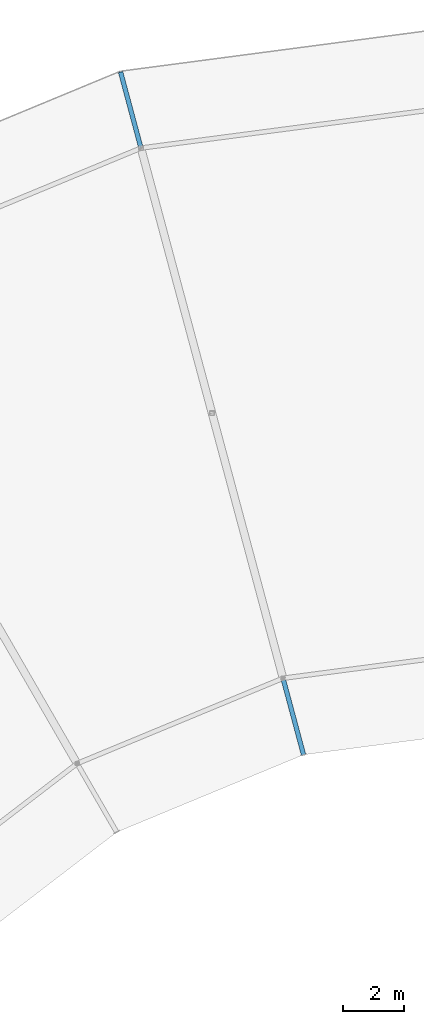
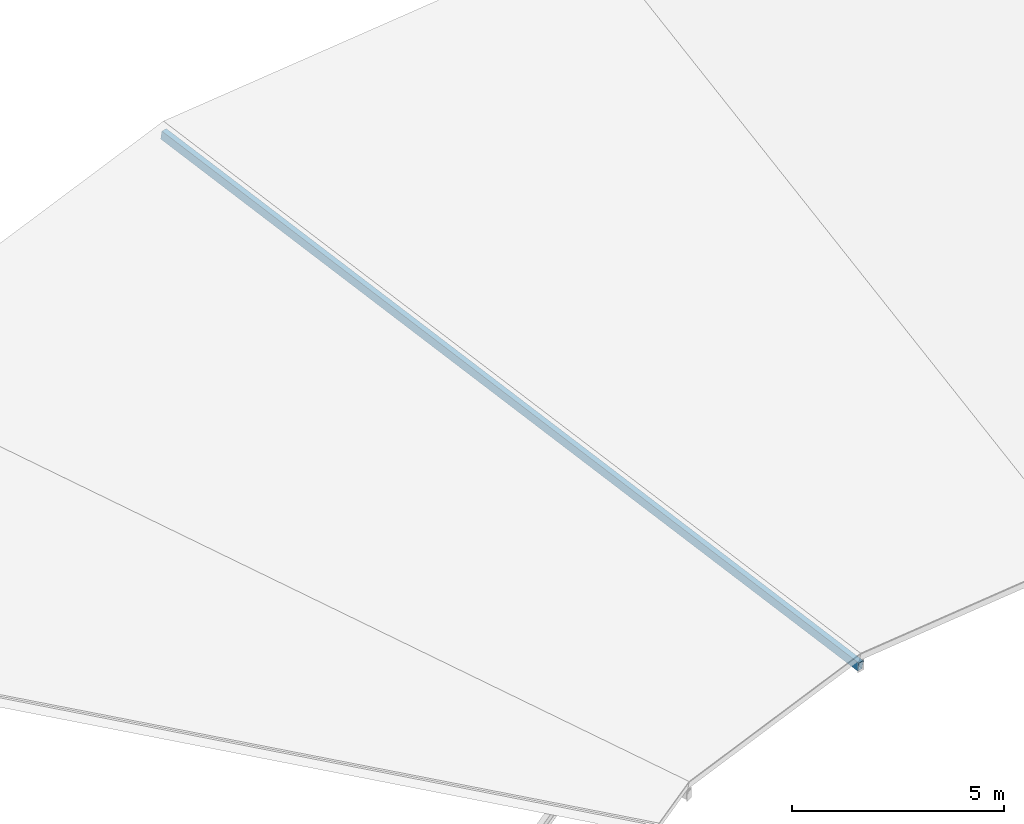
# One storey, part 18 of 70: 1 member.
"""IFC4 building model written with IfcOpenShell, lengths in metres."""

import ifcopenshell
import ifcopenshell.guid

model = None  # the IFC model being written
_history = None  # IfcOwnerHistory: only IFC2X3 demands one
_inside = {}  # id of a spatial element -> (the spatial element, [elements in it])
_under = {}  # id of a project, library or spatial element -> (it, [spatial elements below it])
_declared = {}  # id of a project -> (the project, [libraries it declares])
_typed = {}  # id of a type object -> (the type object, [elements of that type])
_made_of = {}  # id of a material, layer set ... -> (it, [elements and type objects made of it])


def new_model(schema):
    """Start an empty IFC model of exactly this schema.

    Asked for "IFC4X3", IfcOpenShell would pick the latest addendum, in which some entities
    have other attributes; the version numbers below select the first issue.
    IFC2X3 requires an IfcOwnerHistory on every rooted entity: one is made here for all.
    """
    global model, _history
    if schema == "IFC4X3":
        model = ifcopenshell.file(schema_version=(4, 3, 0, 0))
    else:
        model = ifcopenshell.file(schema=schema)
    _inside.clear()
    _under.clear()
    _declared.clear()
    _typed.clear()
    _made_of.clear()
    _history = None
    if model.schema == "IFC2X3":
        org = make("IfcOrganization", Name="unknown")
        user = make(
            "IfcPersonAndOrganization",
            ThePerson=make("IfcPerson", FamilyName="unknown"),
            TheOrganization=org,
        )
        app = make(
            "IfcApplication",
            ApplicationDeveloper=org,
            Version="unknown",
            ApplicationFullName="unknown",
            ApplicationIdentifier="unknown",
        )
        _history = make(
            "IfcOwnerHistory",
            OwningUser=user,
            OwningApplication=app,
            ChangeAction="ADDED",
            CreationDate=0,
        )
    return model


def make(cls, **values):
    """One entity of the class cls with the attributes given. An attribute that is None is left unset."""
    return model.create_entity(
        cls, **{name: value for name, value in values.items() if value is not None}
    )


def rooted(cls, **values):
    """An entity with a GlobalId (a new one), such as an element, a storey or a relation."""
    return make(cls, GlobalId=ifcopenshell.guid.new(), OwnerHistory=_history, **values)


def si_unit(unit_type, name, prefix=None):
    """IfcSIUnit, for example si_unit("LENGTHUNIT", "METRE", prefix="MILLI")."""
    return make("IfcSIUnit", UnitType=unit_type, Prefix=prefix, Name=name)


def assignment(units):
    """IfcUnitAssignment: the units of a project."""
    return None if units is None else make("IfcUnitAssignment", Units=units)


def point(xyz):
    """IfcCartesianPoint."""
    return None if xyz is None else make("IfcCartesianPoint", Coordinates=xyz)


def direction(xyz):
    """IfcDirection."""
    return None if xyz is None else make("IfcDirection", DirectionRatios=xyz)


def frame(location, z_axis=None, x_axis=None):
    """IfcAxis2Placement3D, a coordinate frame: its origin and axes. An axis left out is left unset."""
    return make(
        "IfcAxis2Placement3D",
        Location=point(location),
        Axis=direction(z_axis),
        RefDirection=direction(x_axis),
    )


def frame_2d(location, x_axis=None):
    """IfcAxis2Placement2D, a coordinate frame in the plane: its origin and x axis."""
    return make(
        "IfcAxis2Placement2D", Location=point(location), RefDirection=direction(x_axis)
    )


def origin():
    """The frame at (0, 0, 0) with its axes left unset."""
    return frame((0.0, 0.0, 0.0))


def origin_2d():
    """The frame at (0, 0) in the plane with its x axis left unset."""
    return frame_2d((0.0, 0.0))


def place(relative_to, where):
    """IfcLocalPlacement: puts the frame where relative to a parent placement (None: the world)."""
    return make(
        "IfcLocalPlacement", PlacementRelTo=relative_to, RelativePlacement=where
    )


def context(
    kind, dimensions, precision=None, world=None, true_north=None, identifier=None
):
    """IfcGeometricRepresentationContext, for example the 3D "Model" context."""
    return make(
        "IfcGeometricRepresentationContext",
        ContextIdentifier=identifier,
        ContextType=kind,
        CoordinateSpaceDimension=dimensions,
        Precision=precision,
        WorldCoordinateSystem=world,
        TrueNorth=true_north,
    )


def subcontext(parent, identifier, kind, view, scale=None):
    """IfcGeometricRepresentationSubContext, for example "Body" below "Model"."""
    return make(
        "IfcGeometricRepresentationSubContext",
        ContextIdentifier=identifier,
        ContextType=kind,
        ParentContext=parent,
        TargetScale=scale,
        TargetView=view,
    )


def project(units=None, contexts=None):
    """IfcProject with its units and contexts."""
    return rooted(
        "IfcProject",
        Name="project",
        RepresentationContexts=contexts,
        UnitsInContext=assignment(units),
    )


def spatial(cls, under=None, at=None, **own):
    """A site, building, storey or space (cls), placed at a placement, below another one or the project."""
    s = rooted(cls, ObjectPlacement=at, **own)
    if under is not None:
        _under.setdefault(under.id(), (under, []))[1].append(s)
    return s


def profile(cls, at=None, kind="AREA", **sizes):
    """A parametric profile (cls). Its sizes go by their IFC names, for example OverallWidth=200.0."""
    return make(cls, ProfileType=kind, Position=at, **sizes)


def hollow_rectangle(**sizes):
    """IfcRectangleHollowProfileDef."""
    return profile("IfcRectangleHollowProfileDef", **sizes)


def extrude(swept, where, along, depth):
    """IfcExtrudedAreaSolid: the profile swept, set in the frame where, extruded along a direction by depth."""
    return make(
        "IfcExtrudedAreaSolid",
        SweptArea=swept,
        Position=where,
        ExtrudedDirection=direction(along),
        Depth=depth,
    )


def shape(context_of_items, identifier, shape_type, items):
    """IfcShapeRepresentation: the items that make up one representation, for example the "Body"."""
    return make(
        "IfcShapeRepresentation",
        ContextOfItems=context_of_items,
        RepresentationIdentifier=identifier,
        RepresentationType=shape_type,
        Items=items,
    )


def material(Name=None, Category=None):
    """IfcMaterial."""
    return make("IfcMaterial", Name=Name, Category=Category)


def material_profile(
    of_material, cross_section, Name=None, Category=None, Priority=None
):
    """IfcMaterialProfile: a cross section and its material."""
    return make(
        "IfcMaterialProfile",
        Name=Name,
        Material=of_material,
        Profile=cross_section,
        Priority=Priority,
        Category=Category,
    )


def profile_set(profiles, Name=None, composite=None):
    """IfcMaterialProfileSet."""
    return make(
        "IfcMaterialProfileSet",
        Name=Name,
        MaterialProfiles=profiles,
        CompositeProfile=composite,
    )


def made_of(thing, what):
    """Note that an element or type object is made of a material, layer set ...; save() writes the relation."""
    if what is not None:
        _made_of.setdefault(what.id(), (what, []))[1].append(thing)
    return thing


def type_object(cls, material=None, **own):
    """A type object (cls), such as IfcWallType, which elements share."""
    return made_of(rooted(cls, **own), material)


def element(
    cls,
    number,
    at=None,
    inside=None,
    cuts=None,
    type_object=None,
    material=None,
    context=None,
    identifier="Body",
    shape_type=None,
    held_by="IfcProductDefinitionShape",
    body=None,
    shapes=None,
    **own,
):
    """One element of the class cls, such as IfcWall. Its Tag is "e" and its number.

    at: its placement. inside: the storey or other place that contains it. cuts: it is an
    opening in that element (IfcRelVoidsElement). A single representation is given by context,
    identifier, shape_type and body (its items); several are given by shapes. held_by: the class
    of the entity that holds the representations. save() writes the other relations.
    """
    e = rooted(cls, Tag="e%d" % number, ObjectPlacement=at, **own)
    if body is not None:
        shapes = [shape(context, identifier, shape_type, body)]
    if shapes is not None:
        e.Representation = make(held_by, Representations=shapes)
    if inside is not None:
        _inside.setdefault(inside.id(), (inside, []))[1].append(e)
    if cuts is not None:
        rooted(
            "IfcRelVoidsElement", RelatingBuildingElement=cuts, RelatedOpeningElement=e
        )
    if type_object is not None:
        _typed.setdefault(type_object.id(), (type_object, []))[1].append(e)
    return made_of(e, material)


def aggregate(whole, parts):
    """IfcRelAggregates: a whole, such as a stair, and the parts it consists of."""
    return rooted("IfcRelAggregates", RelatingObject=whole, RelatedObjects=parts)


def save(model, path):
    """Write the relations noted so far, then the file.

    IfcRelAggregates (storeys below a building ...), IfcRelContainedInSpatialStructure (elements
    in a storey), IfcRelDefinesByType, IfcRelAssociatesMaterial and IfcRelDeclares: one each for
    every whole, place, type object, material and project.
    """
    for whole, parts in _under.values():
        aggregate(whole, parts)
    for where, things in _inside.values():
        rooted(
            "IfcRelContainedInSpatialStructure",
            RelatedElements=things,
            RelatingStructure=where,
        )
    for kind, things in _typed.values():
        rooted("IfcRelDefinesByType", RelatedObjects=things, RelatingType=kind)
    for what, things in _made_of.values():
        rooted("IfcRelAssociatesMaterial", RelatedObjects=things, RelatingMaterial=what)
    for by, libraries in _declared.values():
        rooted("IfcRelDeclares", RelatingContext=by, RelatedDefinitions=libraries)
    model.write(path)


model = new_model("IFC4")

# Units and contexts
model_context = context("Model", 3, precision=1e-05, world=origin(), true_north=direction((0.0, 1.0)))
body_context = subcontext(model_context, "Body", "Model", "MODEL_VIEW")
ifc_project = project(units=[si_unit("LENGTHUNIT", "METRE"), si_unit("AREAUNIT", "SQUARE_METRE"), si_unit("VOLUMEUNIT", "CUBIC_METRE"), si_unit("PLANEANGLEUNIT", "RADIAN"), si_unit("MASSUNIT", "GRAM", prefix="KILO")], contexts=[model_context])

# Site, building, storey
site_placement = place(None, origin())
site = spatial("IfcSite", under=ifc_project, at=site_placement, CompositionType="ELEMENT")
building_placement = place(site_placement, origin())
building = spatial("IfcBuilding", under=site, at=building_placement, Name="Vondelvale Polytechnic", CompositionType="ELEMENT")
storey_placement = place(building_placement, frame((0.0, 0.0, 22.199951171875)))
storey = spatial("IfcBuildingStorey", under=building, at=storey_placement, Name="L05", CompositionType="ELEMENT", Elevation=22.199951171875)

# Member
ifc_material = material(Name="Steel C350L0 (fy = 350 MPa)", Category="steel")
ifc_material_profile = material_profile(ifc_material, hollow_rectangle(XDim=0.14990234375, YDim=0.25, WallThickness=0.006103515625, at=origin_2d()), Name="250x150x6.0RHS")
ifc_profile_set = profile_set([ifc_material_profile], Name="Steel C350L0 (fy = 350 MPa)")
member_type = type_object("IfcMemberType", Name="RAFTER RHS250", PredefinedType="RAFTER", material=ifc_profile_set)
member_placement = place(storey_placement, frame((89.42138671875, 118.944091796875, 3.765869140625), z_axis=(0.255414977301, -0.953223857145, -0.161639931762), x_axis=(0.965925974596, 0.258818491613, 0.0)))
element("IfcMember", 1, at=member_placement, inside=storey, type_object=member_type, Name="Ring inward-sloping rafter 07", PredefinedType="RAFTER", context=body_context, shape_type="SweptSolid", body=[
    extrude(hollow_rectangle(XDim=0.14990234375, YDim=0.25, WallThickness=0.006103515625, at=origin_2d()), origin(), (0.0, 0.0, 1.0), 23.50927734375),
])

save(model, "model.ifc")
